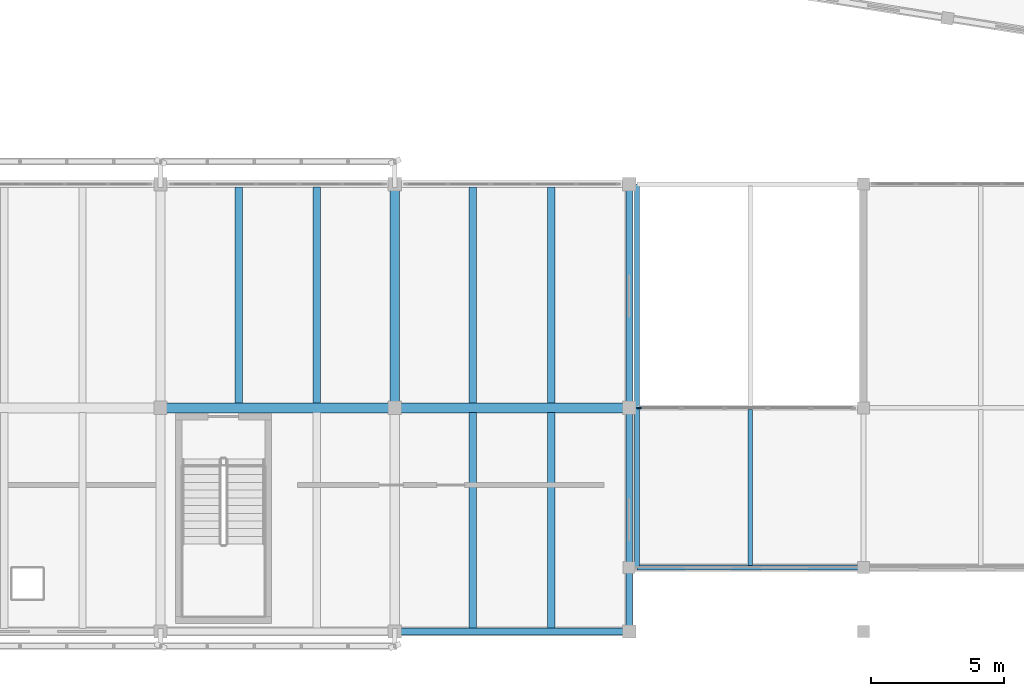
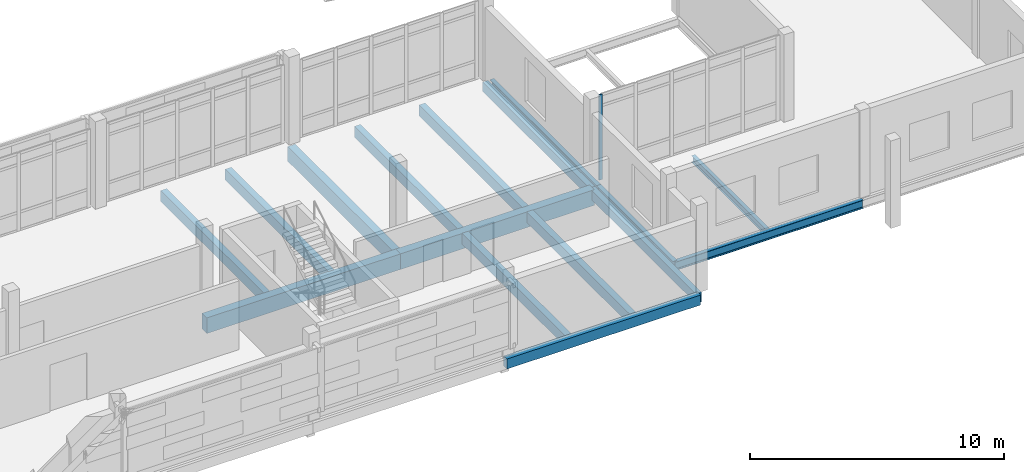
# One storey, part 33 of 137: 16 beams, 1 member, 1 element without a shape of its own.
"""IFC4 building model written with IfcOpenShell, lengths in metres."""

import ifcopenshell
import ifcopenshell.guid

model = None  # the IFC model being written
_history = None  # IfcOwnerHistory: only IFC2X3 demands one
_inside = {}  # id of a spatial element -> (the spatial element, [elements in it])
_under = {}  # id of a project, library or spatial element -> (it, [spatial elements below it])
_declared = {}  # id of a project -> (the project, [libraries it declares])
_typed = {}  # id of a type object -> (the type object, [elements of that type])
_made_of = {}  # id of a material, layer set ... -> (it, [elements and type objects made of it])


def new_model(schema):
    """Start an empty IFC model of exactly this schema.

    Asked for "IFC4X3", IfcOpenShell would pick the latest addendum, in which some entities
    have other attributes; the version numbers below select the first issue.
    IFC2X3 requires an IfcOwnerHistory on every rooted entity: one is made here for all.
    """
    global model, _history
    if schema == "IFC4X3":
        model = ifcopenshell.file(schema_version=(4, 3, 0, 0))
    else:
        model = ifcopenshell.file(schema=schema)
    _inside.clear()
    _under.clear()
    _declared.clear()
    _typed.clear()
    _made_of.clear()
    _history = None
    if model.schema == "IFC2X3":
        org = make("IfcOrganization", Name="unknown")
        user = make(
            "IfcPersonAndOrganization",
            ThePerson=make("IfcPerson", FamilyName="unknown"),
            TheOrganization=org,
        )
        app = make(
            "IfcApplication",
            ApplicationDeveloper=org,
            Version="unknown",
            ApplicationFullName="unknown",
            ApplicationIdentifier="unknown",
        )
        _history = make(
            "IfcOwnerHistory",
            OwningUser=user,
            OwningApplication=app,
            ChangeAction="ADDED",
            CreationDate=0,
        )
    return model


def make(cls, **values):
    """One entity of the class cls with the attributes given. An attribute that is None is left unset."""
    return model.create_entity(
        cls, **{name: value for name, value in values.items() if value is not None}
    )


def rooted(cls, **values):
    """An entity with a GlobalId (a new one), such as an element, a storey or a relation."""
    return make(cls, GlobalId=ifcopenshell.guid.new(), OwnerHistory=_history, **values)


def si_unit(unit_type, name, prefix=None):
    """IfcSIUnit, for example si_unit("LENGTHUNIT", "METRE", prefix="MILLI")."""
    return make("IfcSIUnit", UnitType=unit_type, Prefix=prefix, Name=name)


def assignment(units):
    """IfcUnitAssignment: the units of a project."""
    return None if units is None else make("IfcUnitAssignment", Units=units)


def point(xyz):
    """IfcCartesianPoint."""
    return None if xyz is None else make("IfcCartesianPoint", Coordinates=xyz)


def direction(xyz):
    """IfcDirection."""
    return None if xyz is None else make("IfcDirection", DirectionRatios=xyz)


def frame(location, z_axis=None, x_axis=None):
    """IfcAxis2Placement3D, a coordinate frame: its origin and axes. An axis left out is left unset."""
    return make(
        "IfcAxis2Placement3D",
        Location=point(location),
        Axis=direction(z_axis),
        RefDirection=direction(x_axis),
    )


def frame_2d(location, x_axis=None):
    """IfcAxis2Placement2D, a coordinate frame in the plane: its origin and x axis."""
    return make(
        "IfcAxis2Placement2D", Location=point(location), RefDirection=direction(x_axis)
    )


def origin():
    """The frame at (0, 0, 0) with its axes left unset."""
    return frame((0.0, 0.0, 0.0))


def origin_2d():
    """The frame at (0, 0) in the plane with its x axis left unset."""
    return frame_2d((0.0, 0.0))


def place(relative_to, where):
    """IfcLocalPlacement: puts the frame where relative to a parent placement (None: the world)."""
    return make(
        "IfcLocalPlacement", PlacementRelTo=relative_to, RelativePlacement=where
    )


def context(
    kind, dimensions, precision=None, world=None, true_north=None, identifier=None
):
    """IfcGeometricRepresentationContext, for example the 3D "Model" context."""
    return make(
        "IfcGeometricRepresentationContext",
        ContextIdentifier=identifier,
        ContextType=kind,
        CoordinateSpaceDimension=dimensions,
        Precision=precision,
        WorldCoordinateSystem=world,
        TrueNorth=true_north,
    )


def subcontext(parent, identifier, kind, view, scale=None):
    """IfcGeometricRepresentationSubContext, for example "Body" below "Model"."""
    return make(
        "IfcGeometricRepresentationSubContext",
        ContextIdentifier=identifier,
        ContextType=kind,
        ParentContext=parent,
        TargetScale=scale,
        TargetView=view,
    )


def project(units=None, contexts=None):
    """IfcProject with its units and contexts."""
    return rooted(
        "IfcProject",
        Name="project",
        RepresentationContexts=contexts,
        UnitsInContext=assignment(units),
    )


def spatial(cls, under=None, at=None, **own):
    """A site, building, storey or space (cls), placed at a placement, below another one or the project."""
    s = rooted(cls, ObjectPlacement=at, **own)
    if under is not None:
        _under.setdefault(under.id(), (under, []))[1].append(s)
    return s


def profile(cls, at=None, kind="AREA", **sizes):
    """A parametric profile (cls). Its sizes go by their IFC names, for example OverallWidth=200.0."""
    return make(cls, ProfileType=kind, Position=at, **sizes)


def rectangle(**sizes):
    """IfcRectangleProfileDef."""
    return profile("IfcRectangleProfileDef", **sizes)


def i_section(**sizes):
    """IfcIShapeProfileDef."""
    return profile("IfcIShapeProfileDef", **sizes)


def extrude(swept, where, along, depth):
    """IfcExtrudedAreaSolid: the profile swept, set in the frame where, extruded along a direction by depth."""
    return make(
        "IfcExtrudedAreaSolid",
        SweptArea=swept,
        Position=where,
        ExtrudedDirection=direction(along),
        Depth=depth,
    )


def shape(context_of_items, identifier, shape_type, items):
    """IfcShapeRepresentation: the items that make up one representation, for example the "Body"."""
    return make(
        "IfcShapeRepresentation",
        ContextOfItems=context_of_items,
        RepresentationIdentifier=identifier,
        RepresentationType=shape_type,
        Items=items,
    )


def material(Name=None, Category=None):
    """IfcMaterial."""
    return make("IfcMaterial", Name=Name, Category=Category)


def material_profile(
    of_material, cross_section, Name=None, Category=None, Priority=None
):
    """IfcMaterialProfile: a cross section and its material."""
    return make(
        "IfcMaterialProfile",
        Name=Name,
        Material=of_material,
        Profile=cross_section,
        Priority=Priority,
        Category=Category,
    )


def profile_set(profiles, Name=None, composite=None):
    """IfcMaterialProfileSet."""
    return make(
        "IfcMaterialProfileSet",
        Name=Name,
        MaterialProfiles=profiles,
        CompositeProfile=composite,
    )


def made_of(thing, what):
    """Note that an element or type object is made of a material, layer set ...; save() writes the relation."""
    if what is not None:
        _made_of.setdefault(what.id(), (what, []))[1].append(thing)
    return thing


def type_object(cls, material=None, **own):
    """A type object (cls), such as IfcWallType, which elements share."""
    return made_of(rooted(cls, **own), material)


def element(
    cls,
    number,
    at=None,
    inside=None,
    cuts=None,
    type_object=None,
    material=None,
    context=None,
    identifier="Body",
    shape_type=None,
    held_by="IfcProductDefinitionShape",
    body=None,
    shapes=None,
    **own,
):
    """One element of the class cls, such as IfcWall. Its Tag is "e" and its number.

    at: its placement. inside: the storey or other place that contains it. cuts: it is an
    opening in that element (IfcRelVoidsElement). A single representation is given by context,
    identifier, shape_type and body (its items); several are given by shapes. held_by: the class
    of the entity that holds the representations. save() writes the other relations.
    """
    e = rooted(cls, Tag="e%d" % number, ObjectPlacement=at, **own)
    if body is not None:
        shapes = [shape(context, identifier, shape_type, body)]
    if shapes is not None:
        e.Representation = make(held_by, Representations=shapes)
    if inside is not None:
        _inside.setdefault(inside.id(), (inside, []))[1].append(e)
    if cuts is not None:
        rooted(
            "IfcRelVoidsElement", RelatingBuildingElement=cuts, RelatedOpeningElement=e
        )
    if type_object is not None:
        _typed.setdefault(type_object.id(), (type_object, []))[1].append(e)
    return made_of(e, material)


def aggregate(whole, parts):
    """IfcRelAggregates: a whole, such as a stair, and the parts it consists of."""
    return rooted("IfcRelAggregates", RelatingObject=whole, RelatedObjects=parts)


def save(model, path):
    """Write the relations noted so far, then the file.

    IfcRelAggregates (storeys below a building ...), IfcRelContainedInSpatialStructure (elements
    in a storey), IfcRelDefinesByType, IfcRelAssociatesMaterial and IfcRelDeclares: one each for
    every whole, place, type object, material and project.
    """
    for whole, parts in _under.values():
        aggregate(whole, parts)
    for where, things in _inside.values():
        rooted(
            "IfcRelContainedInSpatialStructure",
            RelatedElements=things,
            RelatingStructure=where,
        )
    for kind, things in _typed.values():
        rooted("IfcRelDefinesByType", RelatedObjects=things, RelatingType=kind)
    for what, things in _made_of.values():
        rooted("IfcRelAssociatesMaterial", RelatedObjects=things, RelatingMaterial=what)
    for by, libraries in _declared.values():
        rooted("IfcRelDeclares", RelatingContext=by, RelatedDefinitions=libraries)
    model.write(path)


model = new_model("IFC4")

# Units and contexts
model_context = context("Model", 3, precision=1e-05, world=origin(), true_north=direction((0.0, 1.0)))
body_context = subcontext(model_context, "Body", "Model", "MODEL_VIEW")
ifc_project = project(units=[si_unit("LENGTHUNIT", "METRE"), si_unit("AREAUNIT", "SQUARE_METRE"), si_unit("VOLUMEUNIT", "CUBIC_METRE"), si_unit("PLANEANGLEUNIT", "RADIAN"), si_unit("MASSUNIT", "GRAM", prefix="KILO")], contexts=[model_context])

# Site, building, storey
site_placement = place(None, origin())
site = spatial("IfcSite", under=ifc_project, at=site_placement, CompositionType="ELEMENT")
building_placement = place(site_placement, origin())
building = spatial("IfcBuilding", under=site, at=building_placement, Name="Cinderway Yard Community Centre", CompositionType="ELEMENT")
storey_placement = place(building_placement, frame((0.0, 0.0, 4.800048828125)))
storey = spatial("IfcBuildingStorey", under=building, at=storey_placement, Name="L01", CompositionType="ELEMENT", Elevation=4.800048828125)

# Curtain wall, member
ifc_material_1 = material(Name="Aluminium 6063-T6", Category="aluminium")
curtain_wall_type = type_object("IfcCurtainWallType", Name="ENV-CW-TYPE-37", PredefinedType="USERDEFINED", material=ifc_material_1)
curtain_wall_placement = place(storey_placement, origin())
curtain_wall = element("IfcCurtainWall", 1, at=curtain_wall_placement, inside=storey, type_object=curtain_wall_type, Name="East Arcade Courtyard Curtain Wall ENV-CW-L01-ST-0201", ObjectType="GLAZED CURTAIN WALL", PredefinedType="USERDEFINED")
ifc_material_profile_1 = material_profile(ifc_material_1, rectangle(XDim=0.06005859375, YDim=0.159912109375, at=origin_2d()), Name="Aluminium 6063-T6")
ifc_profile_set_1 = profile_set([ifc_material_profile_1], Name="Aluminium 6063-T6")
member_type = type_object("IfcMemberType", Name="ENV-CW-MULL-150", PredefinedType="MULLION", material=ifc_profile_set_1)
member_placement = place(storey_placement, frame((119.580078125, 14.39990234375, 0.0), z_axis=(0.0, 0.0, 1.0), x_axis=(0.0, 1.0, 0.0)))
member = element("IfcMember", 2, at=member_placement, type_object=member_type, Name="CW-37 mullion 1", PredefinedType="MULLION", context=body_context, shape_type="SweptSolid", body=[
    extrude(rectangle(XDim=0.06005859375, YDim=0.159912109375, at=origin_2d()), origin(), (0.0, 0.0, 1.0), 4.099853515625),
])
aggregate(curtain_wall, [member])

# Beams
ifc_material_2 = material(Name="Concrete C40/50", Category="concrete")
ifc_material_profile_2 = material_profile(ifc_material_2, rectangle(XDim=0.25, YDim=0.449951171875, at=origin_2d()), Name="Concrete C40/50")
ifc_profile_set_2 = profile_set([ifc_material_profile_2], Name="Concrete C40/50")
beam_type_1 = type_object("IfcBeamType", Name="STR-BM-RC250X450", PredefinedType="SPANDREL", material=ifc_profile_set_2)
beam_1_placement = place(storey_placement, frame((119.199951171875, 6.0, -0.465087890625), z_axis=(0.0, 1.0, 0.0), x_axis=(-1.0, 0.0, 0.0)))
element("IfcBeam", 3, at=beam_1_placement, inside=storey, type_object=beam_type_1, Name="Transverse girder STR-BM-L01-SP02-0145", PredefinedType="SPANDREL", context=body_context, shape_type="SweptSolid", body=[
    extrude(rectangle(XDim=0.25, YDim=0.449951171875, at=origin_2d()), origin(), (0.0, 0.0, 1.0), 8.39990234375),
])
beam_2_placement = place(storey_placement, frame((119.199951171875, 14.39990234375, -0.465087890625), z_axis=(0.0, 1.0, 0.0), x_axis=(-1.0, 0.0, 0.0)))
element("IfcBeam", 4, at=beam_2_placement, inside=storey, type_object=beam_type_1, Name="Transverse girder STR-BM-L01-SP02-0146", PredefinedType="SPANDREL", context=body_context, shape_type="SweptSolid", body=[
    extrude(rectangle(XDim=0.25, YDim=0.449951171875, at=origin_2d()), origin(), (0.0, 0.0, 1.0), 8.400146484375),
])
ifc_material_profile_3 = material_profile(ifc_material_2, rectangle(XDim=0.260009765625, YDim=0.47998046875, at=origin_2d()), Name="Concrete C40/50")
ifc_profile_set_3 = profile_set([ifc_material_profile_3], Name="Concrete C40/50")
beam_type_2 = type_object("IfcBeamType", Name="STR-BM-RC260X480", PredefinedType="SPANDREL", material=ifc_profile_set_3)
beam_3_placement = place(storey_placement, frame((110.39990234375, 6.0, -0.47998046875), z_axis=(1.0, 0.0, 0.0), x_axis=(0.0, 1.0, 0.0)))
element("IfcBeam", 5, at=beam_3_placement, inside=storey, type_object=beam_type_2, Name="Primary girder STR-BM-L01-SP01-0117", PredefinedType="SPANDREL", context=body_context, shape_type="SweptSolid", body=[
    extrude(rectangle(XDim=0.260009765625, YDim=0.47998046875, at=origin_2d()), origin(), (0.0, 0.0, 1.0), 8.800048828125),
])
ifc_material_3 = material(Name="Concrete C35/45", Category="concrete")
ifc_material_profile_4 = material_profile(ifc_material_3, rectangle(XDim=0.280029296875, YDim=0.52001953125, at=origin_2d()), Name="Concrete C35/45")
ifc_profile_set_4 = profile_set([ifc_material_profile_4], Name="Concrete C35/45")
beam_type_3 = type_object("IfcBeamType", Name="STR-BM-RC280X520", PredefinedType="JOIST", material=ifc_profile_set_4)
for number, where, z_axis, x_axis, name in (
    (6, (104.532958984375, 14.572021484375, -0.5), (0.0, 1.0, 0.0), (-1.0, 0.0, 0.0), "Secondary joist STR-BM-L01-BJ04-0166"),
    (7, (107.467041015625, 14.572021484375, -0.5), (0.0, 1.0, 0.0), (-1.0, 0.0, 0.0), "Secondary joist STR-BM-L01-BJ04-0167"),
    (8, (113.3330078125, 6.112060546875, -0.5), (0.0, 1.0, 0.0), (-1.0, 0.0, 0.0), "Secondary joist STR-BM-L01-BJ04-0168"),
    (9, (116.26708984375, 6.112060546875, -0.5), (0.0, 1.0, 0.0), (-1.0, 0.0, 0.0), "Secondary joist STR-BM-L01-BJ04-0169"),
    (10, (113.3330078125, 14.572021484375, -0.5), (0.0, 1.0, 0.0), (-1.0, 0.0, 0.0), "Secondary joist STR-BM-L01-BJ04-0170"),
    (11, (116.26708984375, 14.572021484375, -0.5), (0.0, 1.0, 0.0), (-1.0, 0.0, 0.0), "Secondary joist STR-BM-L01-BJ04-0171"),
):
    element("IfcBeam", number, at=place(storey_placement, frame(where, z_axis=z_axis, x_axis=x_axis)), inside=storey, type_object=beam_type_3, Name=name, PredefinedType="JOIST", context=body_context, shape_type="SweptSolid", body=[
        extrude(rectangle(XDim=0.280029296875, YDim=0.52001953125, at=origin_2d()), origin(), (0.0, 0.0, 1.0), 8.115966796875),
    ])
ifc_material_profile_5 = material_profile(ifc_material_3, rectangle(XDim=0.35009765625, YDim=0.699951171875, at=origin_2d()), Name="Concrete C35/45")
ifc_profile_set_5 = profile_set([ifc_material_profile_5], Name="Concrete C35/45")
beam_type_4 = type_object("IfcBeamType", Name="STR-BM-RC350X700", PredefinedType="BEAM", material=ifc_profile_set_5)
beam_4_placement = place(storey_placement, frame((110.39990234375, 14.39990234375, -0.590087890625), z_axis=(0.0, 1.0, 0.0), x_axis=(-1.0, 0.0, 0.0)))
element("IfcBeam", 12, at=beam_4_placement, inside=storey, type_object=beam_type_4, Name="Transverse girder STR-BM-L01-BG07-0144", PredefinedType="BEAM", context=body_context, shape_type="SweptSolid", body=[
    extrude(rectangle(XDim=0.35009765625, YDim=0.699951171875, at=origin_2d()), origin(), (0.0, 0.0, 1.0), 8.400146484375),
])
ifc_material_profile_6 = material_profile(ifc_material_3, rectangle(XDim=0.3798828125, YDim=0.75, at=origin_2d()), Name="Concrete C35/45")
ifc_profile_set_6 = profile_set([ifc_material_profile_6], Name="Concrete C35/45")
beam_type_5 = type_object("IfcBeamType", Name="STR-BM-RC380X750", PredefinedType="BEAM", material=ifc_profile_set_6)
beam_5_placement = place(storey_placement, frame((101.60009765625, 14.39990234375, -0.614990234375), z_axis=(1.0, 0.0, 0.0), x_axis=(0.0, 1.0, 0.0)))
element("IfcBeam", 13, at=beam_5_placement, inside=storey, type_object=beam_type_5, Name="Primary girder STR-BM-L01-BG06-0123", PredefinedType="BEAM", context=body_context, shape_type="SweptSolid", body=[
    extrude(rectangle(XDim=0.3798828125, YDim=0.75, at=origin_2d()), origin(), (0.0, 0.0, 1.0), 8.7998046875),
])
beam_6_placement = place(storey_placement, frame((110.39990234375, 14.39990234375, -0.614990234375), z_axis=(1.0, 0.0, 0.0), x_axis=(0.0, 1.0, 0.0)))
element("IfcBeam", 14, at=beam_6_placement, inside=storey, type_object=beam_type_5, Name="Primary girder STR-BM-L01-BG06-0124", PredefinedType="BEAM", context=body_context, shape_type="SweptSolid", body=[
    extrude(rectangle(XDim=0.3798828125, YDim=0.75, at=origin_2d()), origin(), (0.0, 0.0, 1.0), 8.800048828125),
])
ifc_material_4 = material(Name="Steel S355", Category="steel")
ifc_material_profile_7 = material_profile(ifc_material_4, i_section(OverallWidth=0.166015625, OverallDepth=0.31298828125, WebThickness=0.006591796875, FlangeThickness=0.01123046875, FilletRadius=0.010009765625, at=origin_2d()), Name="Steel S355")
ifc_profile_set_7 = profile_set([ifc_material_profile_7], Name="Steel S355")
beam_type_6 = type_object("IfcBeamType", Name="STR-BM-W310X45", PredefinedType="SPANDREL", material=ifc_profile_set_7)
beam_7_placement = place(storey_placement, frame((123.75, 8.470947265625, -0.39697265625), z_axis=(0.0, 1.0, 0.0), x_axis=(-1.0, 0.0, 0.0)))
element("IfcBeam", 15, at=beam_7_placement, inside=storey, type_object=beam_type_6, Name="Secondary joist STR-BM-L01-SS01-0666", PredefinedType="SPANDREL", context=body_context, shape_type="SweptSolid", body=[
    extrude(i_section(OverallWidth=0.166015625, OverallDepth=0.31298828125, WebThickness=0.006591796875, FlangeThickness=0.01123046875, FilletRadius=0.010009765625, at=origin_2d()), origin(), (0.0, 0.0, 1.0), 5.858154296875),
])
ifc_material_profile_8 = material_profile(ifc_material_4, i_section(OverallWidth=0.178955078125, OverallDepth=0.409912109375, WebThickness=0.0087890625, FlangeThickness=0.013427734375, FilletRadius=0.011962890625, at=origin_2d()), Name="Steel S355")
ifc_profile_set_8 = profile_set([ifc_material_profile_8], Name="Steel S355")
beam_type_7 = type_object("IfcBeamType", Name="STR-BM-W410X67", PredefinedType="JOIST", material=ifc_profile_set_8)
beam_8_placement = place(storey_placement, frame((119.5, 8.39990234375, -0.445068359375), z_axis=(1.0, 0.0, 0.0), x_axis=(0.0, 1.0, 0.0)))
element("IfcBeam", 16, at=beam_8_placement, inside=storey, type_object=beam_type_7, Name="Primary girder STR-BM-L01-SJ02-0654", PredefinedType="JOIST", context=body_context, shape_type="SweptSolid", body=[
    extrude(i_section(OverallWidth=0.178955078125, OverallDepth=0.409912109375, WebThickness=0.0087890625, FlangeThickness=0.013427734375, FilletRadius=0.011962890625, at=origin_2d()), origin(), (0.0, 0.0, 1.0), 8.5),
])
ifc_material_profile_9 = material_profile(ifc_material_4, i_section(OverallWidth=0.19091796875, OverallDepth=0.4599609375, WebThickness=0.010009765625, FlangeThickness=0.014404296875, FilletRadius=0.012939453125, at=origin_2d()), Name="Steel S355")
ifc_profile_set_9 = profile_set([ifc_material_profile_9], Name="Steel S355")
beam_type_8 = type_object("IfcBeamType", Name="STR-BM-W460X82", PredefinedType="JOIST", material=ifc_profile_set_9)
beam_9_placement = place(storey_placement, frame((119.5, 8.39990234375, -0.469970703125), z_axis=(0.0, 1.0, 0.0), x_axis=(-1.0, 0.0, 0.0)))
element("IfcBeam", 17, at=beam_9_placement, inside=storey, type_object=beam_type_8, Name="Transverse girder STR-BM-L01-SJ01-0660", PredefinedType="JOIST", context=body_context, shape_type="SweptSolid", body=[
    extrude(i_section(OverallWidth=0.19091796875, OverallDepth=0.4599609375, WebThickness=0.010009765625, FlangeThickness=0.014404296875, FilletRadius=0.012939453125, at=origin_2d()), origin(), (0.0, 0.0, 1.0), 6.0),
])
beam_10_placement = place(storey_placement, frame((119.5, 14.39990234375, -0.469970703125), z_axis=(0.0, 1.0, 0.0), x_axis=(-1.0, 0.0, 0.0)))
element("IfcBeam", 18, at=beam_10_placement, inside=storey, type_object=beam_type_8, Name="Transverse girder STR-BM-L01-SJ01-0661", PredefinedType="JOIST", context=body_context, shape_type="SweptSolid", body=[
    extrude(i_section(OverallWidth=0.19091796875, OverallDepth=0.4599609375, WebThickness=0.010009765625, FlangeThickness=0.014404296875, FilletRadius=0.012939453125, at=origin_2d()), origin(), (0.0, 0.0, 1.0), 8.400146484375),
])

save(model, "model.ifc")
